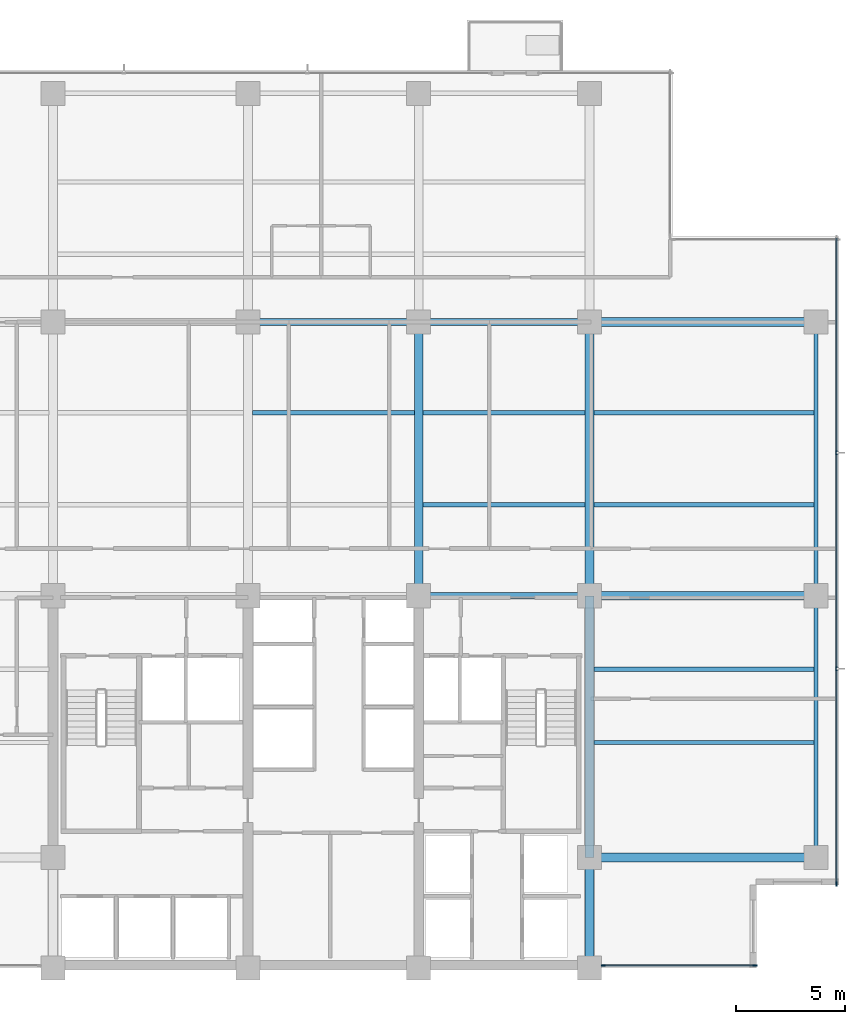
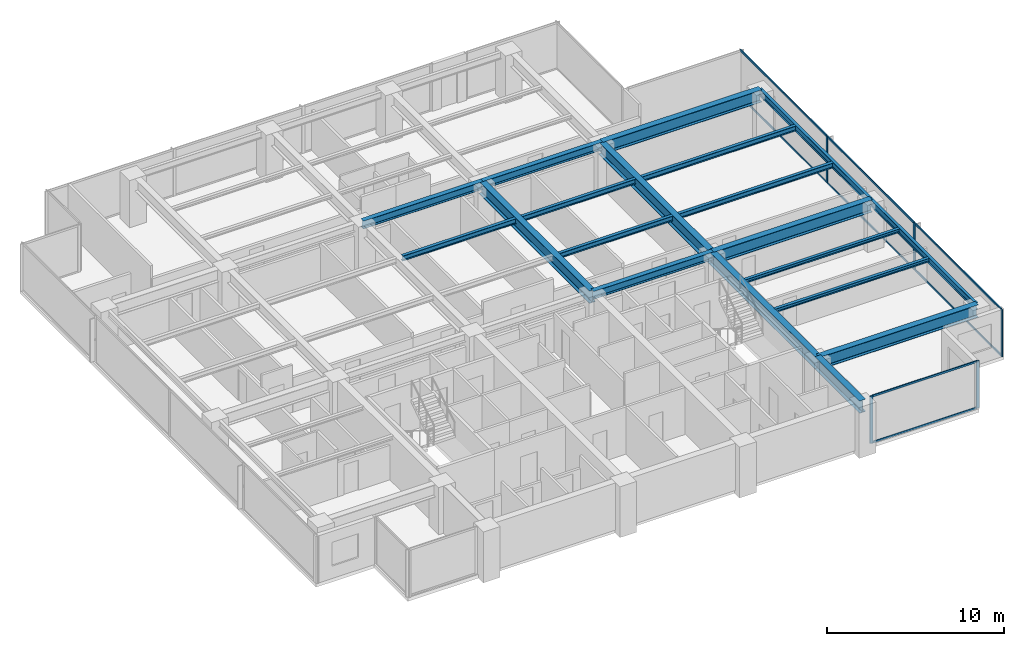
# One storey, part 3 of 15: 19 beams, 13 members, 2 elements without a shape of their own.
"""IFC4 building model written with IfcOpenShell, lengths in metres."""

import ifcopenshell
import ifcopenshell.guid

model = None  # the IFC model being written
_history = None  # IfcOwnerHistory: only IFC2X3 demands one
_inside = {}  # id of a spatial element -> (the spatial element, [elements in it])
_under = {}  # id of a project, library or spatial element -> (it, [spatial elements below it])
_declared = {}  # id of a project -> (the project, [libraries it declares])
_typed = {}  # id of a type object -> (the type object, [elements of that type])
_made_of = {}  # id of a material, layer set ... -> (it, [elements and type objects made of it])


def new_model(schema):
    """Start an empty IFC model of exactly this schema.

    Asked for "IFC4X3", IfcOpenShell would pick the latest addendum, in which some entities
    have other attributes; the version numbers below select the first issue.
    IFC2X3 requires an IfcOwnerHistory on every rooted entity: one is made here for all.
    """
    global model, _history
    if schema == "IFC4X3":
        model = ifcopenshell.file(schema_version=(4, 3, 0, 0))
    else:
        model = ifcopenshell.file(schema=schema)
    _inside.clear()
    _under.clear()
    _declared.clear()
    _typed.clear()
    _made_of.clear()
    _history = None
    if model.schema == "IFC2X3":
        org = make("IfcOrganization", Name="unknown")
        user = make(
            "IfcPersonAndOrganization",
            ThePerson=make("IfcPerson", FamilyName="unknown"),
            TheOrganization=org,
        )
        app = make(
            "IfcApplication",
            ApplicationDeveloper=org,
            Version="unknown",
            ApplicationFullName="unknown",
            ApplicationIdentifier="unknown",
        )
        _history = make(
            "IfcOwnerHistory",
            OwningUser=user,
            OwningApplication=app,
            ChangeAction="ADDED",
            CreationDate=0,
        )
    return model


def make(cls, **values):
    """One entity of the class cls with the attributes given. An attribute that is None is left unset."""
    return model.create_entity(
        cls, **{name: value for name, value in values.items() if value is not None}
    )


def rooted(cls, **values):
    """An entity with a GlobalId (a new one), such as an element, a storey or a relation."""
    return make(cls, GlobalId=ifcopenshell.guid.new(), OwnerHistory=_history, **values)


def si_unit(unit_type, name, prefix=None):
    """IfcSIUnit, for example si_unit("LENGTHUNIT", "METRE", prefix="MILLI")."""
    return make("IfcSIUnit", UnitType=unit_type, Prefix=prefix, Name=name)


def assignment(units):
    """IfcUnitAssignment: the units of a project."""
    return None if units is None else make("IfcUnitAssignment", Units=units)


def point(xyz):
    """IfcCartesianPoint."""
    return None if xyz is None else make("IfcCartesianPoint", Coordinates=xyz)


def direction(xyz):
    """IfcDirection."""
    return None if xyz is None else make("IfcDirection", DirectionRatios=xyz)


def frame(location, z_axis=None, x_axis=None):
    """IfcAxis2Placement3D, a coordinate frame: its origin and axes. An axis left out is left unset."""
    return make(
        "IfcAxis2Placement3D",
        Location=point(location),
        Axis=direction(z_axis),
        RefDirection=direction(x_axis),
    )


def frame_2d(location, x_axis=None):
    """IfcAxis2Placement2D, a coordinate frame in the plane: its origin and x axis."""
    return make(
        "IfcAxis2Placement2D", Location=point(location), RefDirection=direction(x_axis)
    )


def origin():
    """The frame at (0, 0, 0) with its axes left unset."""
    return frame((0.0, 0.0, 0.0))


def origin_2d():
    """The frame at (0, 0) in the plane with its x axis left unset."""
    return frame_2d((0.0, 0.0))


def place(relative_to, where):
    """IfcLocalPlacement: puts the frame where relative to a parent placement (None: the world)."""
    return make(
        "IfcLocalPlacement", PlacementRelTo=relative_to, RelativePlacement=where
    )


def context(
    kind, dimensions, precision=None, world=None, true_north=None, identifier=None
):
    """IfcGeometricRepresentationContext, for example the 3D "Model" context."""
    return make(
        "IfcGeometricRepresentationContext",
        ContextIdentifier=identifier,
        ContextType=kind,
        CoordinateSpaceDimension=dimensions,
        Precision=precision,
        WorldCoordinateSystem=world,
        TrueNorth=true_north,
    )


def subcontext(parent, identifier, kind, view, scale=None):
    """IfcGeometricRepresentationSubContext, for example "Body" below "Model"."""
    return make(
        "IfcGeometricRepresentationSubContext",
        ContextIdentifier=identifier,
        ContextType=kind,
        ParentContext=parent,
        TargetScale=scale,
        TargetView=view,
    )


def project(units=None, contexts=None):
    """IfcProject with its units and contexts."""
    return rooted(
        "IfcProject",
        Name="project",
        RepresentationContexts=contexts,
        UnitsInContext=assignment(units),
    )


def spatial(cls, under=None, at=None, **own):
    """A site, building, storey or space (cls), placed at a placement, below another one or the project."""
    s = rooted(cls, ObjectPlacement=at, **own)
    if under is not None:
        _under.setdefault(under.id(), (under, []))[1].append(s)
    return s


def profile(cls, at=None, kind="AREA", **sizes):
    """A parametric profile (cls). Its sizes go by their IFC names, for example OverallWidth=200.0."""
    return make(cls, ProfileType=kind, Position=at, **sizes)


def rectangle(**sizes):
    """IfcRectangleProfileDef."""
    return profile("IfcRectangleProfileDef", **sizes)


def i_section(**sizes):
    """IfcIShapeProfileDef."""
    return profile("IfcIShapeProfileDef", **sizes)


def extrude(swept, where, along, depth):
    """IfcExtrudedAreaSolid: the profile swept, set in the frame where, extruded along a direction by depth."""
    return make(
        "IfcExtrudedAreaSolid",
        SweptArea=swept,
        Position=where,
        ExtrudedDirection=direction(along),
        Depth=depth,
    )


def shape(context_of_items, identifier, shape_type, items):
    """IfcShapeRepresentation: the items that make up one representation, for example the "Body"."""
    return make(
        "IfcShapeRepresentation",
        ContextOfItems=context_of_items,
        RepresentationIdentifier=identifier,
        RepresentationType=shape_type,
        Items=items,
    )


def material(Name=None, Category=None):
    """IfcMaterial."""
    return make("IfcMaterial", Name=Name, Category=Category)


def layer(
    of_material, thickness, ventilated=None, Name=None, Category=None, Priority=None
):
    """IfcMaterialLayer: one layer of a wall or slab, of a material (None: an air gap)."""
    return make(
        "IfcMaterialLayer",
        Material=of_material,
        LayerThickness=thickness,
        IsVentilated=ventilated,
        Name=Name,
        Category=Category,
        Priority=Priority,
    )


def layer_set(layers, Name=None):
    """IfcMaterialLayerSet."""
    return make("IfcMaterialLayerSet", MaterialLayers=layers, LayerSetName=Name)


def material_profile(
    of_material, cross_section, Name=None, Category=None, Priority=None
):
    """IfcMaterialProfile: a cross section and its material."""
    return make(
        "IfcMaterialProfile",
        Name=Name,
        Material=of_material,
        Profile=cross_section,
        Priority=Priority,
        Category=Category,
    )


def profile_set(profiles, Name=None, composite=None):
    """IfcMaterialProfileSet."""
    return make(
        "IfcMaterialProfileSet",
        Name=Name,
        MaterialProfiles=profiles,
        CompositeProfile=composite,
    )


def made_of(thing, what):
    """Note that an element or type object is made of a material, layer set ...; save() writes the relation."""
    if what is not None:
        _made_of.setdefault(what.id(), (what, []))[1].append(thing)
    return thing


def type_object(cls, material=None, **own):
    """A type object (cls), such as IfcWallType, which elements share."""
    return made_of(rooted(cls, **own), material)


def element(
    cls,
    number,
    at=None,
    inside=None,
    cuts=None,
    type_object=None,
    material=None,
    context=None,
    identifier="Body",
    shape_type=None,
    held_by="IfcProductDefinitionShape",
    body=None,
    shapes=None,
    **own,
):
    """One element of the class cls, such as IfcWall. Its Tag is "e" and its number.

    at: its placement. inside: the storey or other place that contains it. cuts: it is an
    opening in that element (IfcRelVoidsElement). A single representation is given by context,
    identifier, shape_type and body (its items); several are given by shapes. held_by: the class
    of the entity that holds the representations. save() writes the other relations.
    """
    e = rooted(cls, Tag="e%d" % number, ObjectPlacement=at, **own)
    if body is not None:
        shapes = [shape(context, identifier, shape_type, body)]
    if shapes is not None:
        e.Representation = make(held_by, Representations=shapes)
    if inside is not None:
        _inside.setdefault(inside.id(), (inside, []))[1].append(e)
    if cuts is not None:
        rooted(
            "IfcRelVoidsElement", RelatingBuildingElement=cuts, RelatedOpeningElement=e
        )
    if type_object is not None:
        _typed.setdefault(type_object.id(), (type_object, []))[1].append(e)
    return made_of(e, material)


def aggregate(whole, parts):
    """IfcRelAggregates: a whole, such as a stair, and the parts it consists of."""
    return rooted("IfcRelAggregates", RelatingObject=whole, RelatedObjects=parts)


def save(model, path):
    """Write the relations noted so far, then the file.

    IfcRelAggregates (storeys below a building ...), IfcRelContainedInSpatialStructure (elements
    in a storey), IfcRelDefinesByType, IfcRelAssociatesMaterial and IfcRelDeclares: one each for
    every whole, place, type object, material and project.
    """
    for whole, parts in _under.values():
        aggregate(whole, parts)
    for where, things in _inside.values():
        rooted(
            "IfcRelContainedInSpatialStructure",
            RelatedElements=things,
            RelatingStructure=where,
        )
    for kind, things in _typed.values():
        rooted("IfcRelDefinesByType", RelatedObjects=things, RelatingType=kind)
    for what, things in _made_of.values():
        rooted("IfcRelAssociatesMaterial", RelatedObjects=things, RelatingMaterial=what)
    for by, libraries in _declared.values():
        rooted("IfcRelDeclares", RelatingContext=by, RelatedDefinitions=libraries)
    model.write(path)


model = new_model("IFC4")

# Units and contexts
model_context = context("Model", 3, precision=1e-05, world=origin(), true_north=direction((0.0, 1.0)))
body_context = subcontext(model_context, "Body", "Model", "MODEL_VIEW")
ifc_project = project(units=[si_unit("LENGTHUNIT", "METRE"), si_unit("AREAUNIT", "SQUARE_METRE"), si_unit("VOLUMEUNIT", "CUBIC_METRE"), si_unit("PLANEANGLEUNIT", "RADIAN"), si_unit("MASSUNIT", "GRAM", prefix="KILO")], contexts=[model_context])

# Site, building, storey
site_placement = place(None, origin())
site = spatial("IfcSite", under=ifc_project, at=site_placement, CompositionType="ELEMENT")
building_placement = place(site_placement, origin())
building = spatial("IfcBuilding", under=site, at=building_placement, Name="Qalmaran Belvedere Hotel", CompositionType="ELEMENT")
storey_placement = place(building_placement, frame((0.0, 0.0, 149.10009765625)))
storey = spatial("IfcBuildingStorey", under=building, at=storey_placement, Name="L37", CompositionType="ELEMENT", Elevation=149.10009765625)

# Beams
ifc_material_1 = material(Name="Steel S355JR", Category="steel")
ifc_material_profile_1 = material_profile(ifc_material_1, i_section(OverallWidth=0.201904296875, OverallDepth=0.2470703125, WebThickness=0.00732421875, FlangeThickness=0.010986328125, FilletRadius=0.011962890625, at=origin_2d()), Name="W250X49")
ifc_profile_set_1 = profile_set([ifc_material_profile_1], Name="Steel S355JR")
beam_type_1 = type_object("IfcBeamType", Name="BM-JST-W250X49", PredefinedType="JOIST", material=ifc_profile_set_1)
for number, where, z_axis, x_axis, name in (
    (1, (44.998046875, 13.800048828125, 3.12646484375), (1.0, 0.0, 0.0), (0.0, 1.0, 0.0), "L37 East Wing Joist 039"),
    (2, (44.998046875, 17.14990234375, 3.12646484375), (1.0, 0.0, 0.0), (0.0, 1.0, 0.0), "L37 East Wing Joist 041"),
):
    element("IfcBeam", number, at=place(storey_placement, frame(where, z_axis=z_axis, x_axis=x_axis)), inside=storey, type_object=beam_type_1, Name=name, PredefinedType="JOIST", context=body_context, shape_type="SweptSolid", body=[
        extrude(i_section(OverallWidth=0.201904296875, OverallDepth=0.2470703125, WebThickness=0.00732421875, FlangeThickness=0.010986328125, FilletRadius=0.011962890625, at=origin_2d()), origin(), (0.0, 0.0, 1.0), 10.057861328125),
    ])
ifc_material_profile_2 = material_profile(ifc_material_1, i_section(OverallWidth=0.39990234375, OverallDepth=0.85498046875, WebThickness=0.018310546875, FlangeThickness=0.029296875, FilletRadius=0.02392578125, at=origin_2d()), Name="W840X299")
ifc_profile_set_2 = profile_set([ifc_material_profile_2], Name="Steel S355JR")
beam_type_2 = type_object("IfcBeamType", Name="BM-PG3-W840X299", PredefinedType="USERDEFINED", material=ifc_profile_set_2)
for number, where, z_axis, x_axis, name in (
    (3, (37.0, 20.5, 2.822509765625), (0.0, 1.0, 0.0), (-1.0, 0.0, 0.0), "L37 Mid-Plate N-S Girder 18"),
    (4, (44.800048828125, 20.5, 2.822509765625), (0.0, 1.0, 0.0), (-1.0, 0.0, 0.0), "L37 Mid-Plate N-S Girder 20"),
):
    element("IfcBeam", number, at=place(storey_placement, frame(where, z_axis=z_axis, x_axis=x_axis)), inside=storey, type_object=beam_type_2, Name=name, ObjectType="GIRDER", PredefinedType="USERDEFINED", context=body_context, shape_type="SweptSolid", body=[
        extrude(i_section(OverallWidth=0.39990234375, OverallDepth=0.85498046875, WebThickness=0.018310546875, FlangeThickness=0.029296875, FilletRadius=0.02392578125, at=origin_2d()), origin(), (0.0, 0.0, 1.0), 12.5),
    ])
beam_1_placement = place(storey_placement, frame((44.800048828125, 3.5, 2.822509765625), z_axis=(0.0, 1.0, 0.0), x_axis=(-1.0, 0.0, 0.0)))
element("IfcBeam", 5, at=beam_1_placement, inside=storey, type_object=beam_type_2, Name="L37 East Core Edge Girder A", ObjectType="GIRDER", PredefinedType="USERDEFINED", context=body_context, shape_type="SweptSolid", body=[
    extrude(i_section(OverallWidth=0.39990234375, OverallDepth=0.85498046875, WebThickness=0.018310546875, FlangeThickness=0.029296875, FilletRadius=0.02392578125, at=origin_2d()), origin(), (0.0, 0.0, 1.0), 5.050048828125),
])
beam_2_placement = place(storey_placement, frame((44.800048828125, 8.550048828125, 2.822509765625), z_axis=(0.0, 1.0, 0.0), x_axis=(-1.0, 0.0, 0.0)))
element("IfcBeam", 6, at=beam_2_placement, inside=storey, type_object=beam_type_2, Name="L37 East Core Edge Girder B", ObjectType="GIRDER", PredefinedType="USERDEFINED", context=body_context, shape_type="SweptSolid", body=[
    extrude(i_section(OverallWidth=0.39990234375, OverallDepth=0.85498046875, WebThickness=0.018310546875, FlangeThickness=0.029296875, FilletRadius=0.02392578125, at=origin_2d()), origin(), (0.0, 0.0, 1.0), 11.949951171875),
])
for number, where, z_axis, x_axis, name in (
    (7, (44.800048828125, 8.550048828125, 2.822509765625), (1.0, 0.0, 0.0), (0.0, 1.0, 0.0), "L37 East Wing Girder 25"),
    (8, (44.800048828125, 20.5, 2.822509765625), (1.0, 0.0, 0.0), (0.0, 1.0, 0.0), "L37 East Wing Girder 26"),
    (9, (44.800048828125, 33.0, 2.822509765625), (1.0, 0.0, 0.0), (0.0, 1.0, 0.0), "L37 East Wing Girder 27"),
):
    element("IfcBeam", number, at=place(storey_placement, frame(where, z_axis=z_axis, x_axis=x_axis)), inside=storey, type_object=beam_type_2, Name=name, ObjectType="GIRDER", PredefinedType="USERDEFINED", context=body_context, shape_type="SweptSolid", body=[
        extrude(i_section(OverallWidth=0.39990234375, OverallDepth=0.85498046875, WebThickness=0.018310546875, FlangeThickness=0.029296875, FilletRadius=0.02392578125, at=origin_2d()), origin(), (0.0, 0.0, 1.0), 10.349853515625),
    ])
ifc_material_profile_3 = material_profile(ifc_material_1, i_section(OverallWidth=0.205078125, OverallDepth=0.35400390625, WebThickness=0.009521484375, FlangeThickness=0.016845703125, FilletRadius=0.014892578125, at=origin_2d()), Name="W360X79")
ifc_profile_set_3 = profile_set([ifc_material_profile_3], Name="Steel S355JR")
beam_type_3 = type_object("IfcBeamType", Name="BM-SB3-W360X79", PredefinedType="BEAM", material=ifc_profile_set_3)
beam_3_placement = place(storey_placement, frame((37.197998046875, 24.64990234375, 3.072998046875), z_axis=(1.0, 0.0, 0.0), x_axis=(0.0, 1.0, 0.0)))
element("IfcBeam", 10, at=beam_3_placement, inside=storey, type_object=beam_type_3, Name="L37 Secondary Floor Beam 031", PredefinedType="BEAM", context=body_context, shape_type="SweptSolid", body=[
    extrude(i_section(OverallWidth=0.205078125, OverallDepth=0.35400390625, WebThickness=0.009521484375, FlangeThickness=0.016845703125, FilletRadius=0.014892578125, at=origin_2d()), origin(), (0.0, 0.0, 1.0), 7.404052734375),
])
beam_4_placement = place(storey_placement, frame((44.998046875, 24.64990234375, 3.072998046875), z_axis=(1.0, 0.0, 0.0), x_axis=(0.0, 1.0, 0.0)))
element("IfcBeam", 11, at=beam_4_placement, inside=storey, type_object=beam_type_3, Name="L37 East Secondary Beam 032", PredefinedType="BEAM", context=body_context, shape_type="SweptSolid", body=[
    extrude(i_section(OverallWidth=0.205078125, OverallDepth=0.35400390625, WebThickness=0.009521484375, FlangeThickness=0.016845703125, FilletRadius=0.014892578125, at=origin_2d()), origin(), (0.0, 0.0, 1.0), 10.057861328125),
])
for number, where, z_axis, x_axis, name in (
    (12, (29.39794921875, 28.85009765625, 3.072998046875), (1.0, 0.0, 0.0), (0.0, 1.0, 0.0), "L37 Secondary Floor Beam 035"),
    (13, (37.197998046875, 28.85009765625, 3.072998046875), (1.0, 0.0, 0.0), (0.0, 1.0, 0.0), "L37 Secondary Floor Beam 036"),
):
    element("IfcBeam", number, at=place(storey_placement, frame(where, z_axis=z_axis, x_axis=x_axis)), inside=storey, type_object=beam_type_3, Name=name, PredefinedType="BEAM", context=body_context, shape_type="SweptSolid", body=[
        extrude(i_section(OverallWidth=0.205078125, OverallDepth=0.35400390625, WebThickness=0.009521484375, FlangeThickness=0.016845703125, FilletRadius=0.014892578125, at=origin_2d()), origin(), (0.0, 0.0, 1.0), 7.404052734375),
    ])
beam_5_placement = place(storey_placement, frame((44.998046875, 28.85009765625, 3.072998046875), z_axis=(1.0, 0.0, 0.0), x_axis=(0.0, 1.0, 0.0)))
element("IfcBeam", 14, at=beam_5_placement, inside=storey, type_object=beam_type_3, Name="L37 East Secondary Beam 037", PredefinedType="BEAM", context=body_context, shape_type="SweptSolid", body=[
    extrude(i_section(OverallWidth=0.205078125, OverallDepth=0.35400390625, WebThickness=0.009521484375, FlangeThickness=0.016845703125, FilletRadius=0.014892578125, at=origin_2d()), origin(), (0.0, 0.0, 1.0), 10.057861328125),
])
ifc_material_profile_4 = material_profile(ifc_material_1, i_section(OverallWidth=0.19189453125, OverallDepth=0.462890625, WebThickness=0.010498046875, FlangeThickness=0.017578125, FilletRadius=0.01611328125, at=origin_2d()), Name="W460X89")
ifc_profile_set_4 = profile_set([ifc_material_profile_4], Name="Steel S355JR")
beam_type_4 = type_object("IfcBeamType", Name="BM-SP2-W460X89", PredefinedType="SPANDREL", material=ifc_profile_set_4)
beam_6_placement = place(storey_placement, frame((55.14990234375, 8.550048828125, 3.018310546875), z_axis=(0.0, 1.0, 0.0), x_axis=(-1.0, 0.0, 0.0)))
element("IfcBeam", 15, at=beam_6_placement, inside=storey, type_object=beam_type_4, Name="L37 Perimeter Spandrel 03", PredefinedType="SPANDREL", context=body_context, shape_type="SweptSolid", body=[
    extrude(i_section(OverallWidth=0.19189453125, OverallDepth=0.462890625, WebThickness=0.010498046875, FlangeThickness=0.017578125, FilletRadius=0.01611328125, at=origin_2d()), origin(), (0.0, 0.0, 1.0), 11.949951171875),
])
beam_7_placement = place(storey_placement, frame((55.14990234375, 20.5, 3.018310546875), z_axis=(0.0, 1.0, 0.0), x_axis=(-1.0, 0.0, 0.0)))
element("IfcBeam", 16, at=beam_7_placement, inside=storey, type_object=beam_type_4, Name="L37 Perimeter Spandrel 04", PredefinedType="SPANDREL", context=body_context, shape_type="SweptSolid", body=[
    extrude(i_section(OverallWidth=0.19189453125, OverallDepth=0.462890625, WebThickness=0.010498046875, FlangeThickness=0.017578125, FilletRadius=0.01611328125, at=origin_2d()), origin(), (0.0, 0.0, 1.0), 12.5),
])
ifc_material_profile_5 = material_profile(ifc_material_1, i_section(OverallWidth=0.31201171875, OverallDepth=0.54296875, WebThickness=0.0126953125, FlangeThickness=0.020263671875, FilletRadius=0.01806640625, at=origin_2d()), Name="W530X150")
ifc_profile_set_5 = profile_set([ifc_material_profile_5], Name="Steel S355JR")
beam_type_5 = type_object("IfcBeamType", Name="BM-Z3-W530X150", PredefinedType="USERDEFINED", material=ifc_profile_set_5)
for number, where, z_axis, x_axis, name in (
    (17, (37.0, 20.5, 2.978515625), (1.0, 0.0, 0.0), (0.0, 1.0, 0.0), "L37 Interior E-W Girder 10"),
    (18, (29.199951171875, 33.0, 2.978515625), (1.0, 0.0, 0.0), (0.0, 1.0, 0.0), "L37 Interior E-W Girder 12"),
    (19, (37.0, 33.0, 2.978515625), (1.0, 0.0, 0.0), (0.0, 1.0, 0.0), "L37 Interior E-W Girder 13"),
):
    element("IfcBeam", number, at=place(storey_placement, frame(where, z_axis=z_axis, x_axis=x_axis)), inside=storey, type_object=beam_type_5, Name=name, ObjectType="GIRDER", PredefinedType="USERDEFINED", context=body_context, shape_type="SweptSolid", body=[
        extrude(i_section(OverallWidth=0.31201171875, OverallDepth=0.54296875, WebThickness=0.0126953125, FlangeThickness=0.020263671875, FilletRadius=0.01806640625, at=origin_2d()), origin(), (0.0, 0.0, 1.0), 7.800048828125),
    ])

# Curtain wall, members
ifc_material_2 = material(Name="Anodised Bronze Aluminium", Category="aluminium")
ifc_layer = layer(ifc_material_2, 0.195068359375, Name="Anodised Bronze Aluminium")
ifc_layer_set = layer_set([ifc_layer], Name="Anodised Bronze Aluminium")
curtain_wall_type = type_object("IfcCurtainWallType", Name="CW4-TOWER-HIGHMID", PredefinedType="NOTDEFINED", material=ifc_layer_set)
curtain_wall_1_placement = place(storey_placement, origin())
curtain_wall_1 = element("IfcCurtainWall", 20, at=curtain_wall_1_placement, inside=storey, type_object=curtain_wall_type, Name="L37 Curtain Wall CW4", PredefinedType="NOTDEFINED")
ifc_material_profile_6 = material_profile(ifc_material_2, rectangle(XDim=0.070068359375, YDim=0.18994140625, at=origin_2d()), Name="CWM70X190")
ifc_profile_set_6 = profile_set([ifc_material_profile_6], Name="Anodised Bronze Aluminium")
member_type_1 = type_object("IfcMemberType", Name="CWM-70X190", PredefinedType="MULLION", material=ifc_profile_set_6)
member_1_placement = place(storey_placement, frame((45.425048828125, 3.6201171875, 0.0), z_axis=(0.0, 0.0, 1.0), x_axis=(0.0, 1.0, 0.0)))
member_1 = element("IfcMember", 21, at=member_1_placement, type_object=member_type_1, Name="CW4 mullion 1", PredefinedType="MULLION", context=body_context, shape_type="SweptSolid", body=[
    extrude(rectangle(XDim=0.070068359375, YDim=0.18994140625, at=origin_2d()), origin(), (0.0, 0.0, 1.0), 3.25),
])
member_2_placement = place(storey_placement, frame((52.364990234375, 3.6201171875, 0.0), z_axis=(0.0, 0.0, 1.0), x_axis=(0.0, 1.0, 0.0)))
member_2 = element("IfcMember", 22, at=member_2_placement, type_object=member_type_1, Name="CW4 mullion 2", PredefinedType="MULLION", context=body_context, shape_type="SweptSolid", body=[
    extrude(rectangle(XDim=0.070068359375, YDim=0.18994140625, at=origin_2d()), origin(), (0.0, 0.0, 1.0), 3.25),
])

curtain_wall_2_placement = place(storey_placement, origin())
curtain_wall_2 = element("IfcCurtainWall", 23, at=curtain_wall_2_placement, inside=storey, type_object=curtain_wall_type, Name="L37 Curtain Wall CW4", PredefinedType="NOTDEFINED")
member_3_placement = place(storey_placement, frame((56.080078125, 7.3349609375, 0.0), z_axis=(0.0, 0.0, 1.0), x_axis=(-1.0, 0.0, 0.0)))
member_3 = element("IfcMember", 24, at=member_3_placement, type_object=member_type_1, Name="CW4 mullion 1", PredefinedType="MULLION", context=body_context, shape_type="SweptSolid", body=[
    extrude(rectangle(XDim=0.070068359375, YDim=0.18994140625, at=origin_2d()), origin(), (0.0, 0.0, 1.0), 3.25),
])
member_4_placement = place(storey_placement, frame((56.080078125, 17.166748046875, 0.0), z_axis=(0.0, 0.0, 1.0), x_axis=(-1.0, 0.0, 0.0)))
member_4 = element("IfcMember", 25, at=member_4_placement, type_object=member_type_1, Name="CW4 mullion 2", PredefinedType="MULLION", context=body_context, shape_type="SweptSolid", body=[
    extrude(rectangle(XDim=0.070068359375, YDim=0.18994140625, at=origin_2d()), origin(), (0.0, 0.0, 1.0), 3.25),
])
member_5_placement = place(storey_placement, frame((56.080078125, 27.033447265625, 0.0), z_axis=(0.0, 0.0, 1.0), x_axis=(-1.0, 0.0, 0.0)))
member_5 = element("IfcMember", 26, at=member_5_placement, type_object=member_type_1, Name="CW4 mullion 3", PredefinedType="MULLION", context=body_context, shape_type="SweptSolid", body=[
    extrude(rectangle(XDim=0.070068359375, YDim=0.18994140625, at=origin_2d()), origin(), (0.0, 0.0, 1.0), 3.25),
])

# Member
ifc_material_profile_7 = material_profile(ifc_material_2, rectangle(XDim=0.06494140625, YDim=0.1298828125, at=origin_2d()), Name="CWT65X130")
ifc_profile_set_7 = profile_set([ifc_material_profile_7], Name="Anodised Bronze Aluminium")
member_type_2 = type_object("IfcMemberType", Name="CWT-65X130", PredefinedType="USERDEFINED", material=ifc_profile_set_7)
member_6_placement = place(storey_placement, frame((45.4599609375, 3.6201171875, 0.032470703125), z_axis=(1.0, 0.0, 0.0), x_axis=(0.0, 1.0, 0.0)))
member_6 = element("IfcMember", 27, at=member_6_placement, type_object=member_type_2, Name="CW4 transom 1.1", ObjectType="TRANSOM", PredefinedType="USERDEFINED", context=body_context, shape_type="SweptSolid", body=[
    extrude(rectangle(XDim=0.06494140625, YDim=0.1298828125, at=origin_2d()), origin(), (0.0, 0.0, 1.0), 6.8701171875),
])

member_7_placement = place(storey_placement, frame((45.4599609375, 3.6201171875, 3.21728515625), z_axis=(1.0, 0.0, 0.0), x_axis=(0.0, 1.0, 0.0)))
member_7 = element("IfcMember", 28, at=member_7_placement, type_object=member_type_2, Name="CW4 transom 1.2", ObjectType="TRANSOM", PredefinedType="USERDEFINED", context=body_context, shape_type="SweptSolid", body=[
    extrude(rectangle(XDim=0.06494140625, YDim=0.1298828125, at=origin_2d()), origin(), (0.0, 0.0, 1.0), 6.8701171875),
])

aggregate(curtain_wall_1, [member_1, member_2, member_6, member_7])

member_8_placement = place(storey_placement, frame((56.080078125, 7.3701171875, 0.032470703125), z_axis=(0.0, 1.0, 0.0), x_axis=(-1.0, 0.0, 0.0)))
member_8 = element("IfcMember", 29, at=member_8_placement, type_object=member_type_2, Name="CW4 transom 1.1", ObjectType="TRANSOM", PredefinedType="USERDEFINED", context=body_context, shape_type="SweptSolid", body=[
    extrude(rectangle(XDim=0.06494140625, YDim=0.1298828125, at=origin_2d()), origin(), (0.0, 0.0, 1.0), 9.761474609375),
])

member_9_placement = place(storey_placement, frame((56.080078125, 7.3701171875, 3.21728515625), z_axis=(0.0, 1.0, 0.0), x_axis=(-1.0, 0.0, 0.0)))
member_9 = element("IfcMember", 30, at=member_9_placement, type_object=member_type_2, Name="CW4 transom 1.2", ObjectType="TRANSOM", PredefinedType="USERDEFINED", context=body_context, shape_type="SweptSolid", body=[
    extrude(rectangle(XDim=0.06494140625, YDim=0.1298828125, at=origin_2d()), origin(), (0.0, 0.0, 1.0), 9.761474609375),
])

member_10_placement = place(storey_placement, frame((56.080078125, 17.20166015625, 0.032470703125), z_axis=(0.0, 1.0, 0.0), x_axis=(-1.0, 0.0, 0.0)))
member_10 = element("IfcMember", 31, at=member_10_placement, type_object=member_type_2, Name="CW4 transom 2.1", ObjectType="TRANSOM", PredefinedType="USERDEFINED", context=body_context, shape_type="SweptSolid", body=[
    extrude(rectangle(XDim=0.06494140625, YDim=0.1298828125, at=origin_2d()), origin(), (0.0, 0.0, 1.0), 9.796630859375),
])

member_11_placement = place(storey_placement, frame((56.080078125, 17.20166015625, 3.21728515625), z_axis=(0.0, 1.0, 0.0), x_axis=(-1.0, 0.0, 0.0)))
member_11 = element("IfcMember", 32, at=member_11_placement, type_object=member_type_2, Name="CW4 transom 2.2", ObjectType="TRANSOM", PredefinedType="USERDEFINED", context=body_context, shape_type="SweptSolid", body=[
    extrude(rectangle(XDim=0.06494140625, YDim=0.1298828125, at=origin_2d()), origin(), (0.0, 0.0, 1.0), 9.796630859375),
])

member_12_placement = place(storey_placement, frame((56.080078125, 27.068359375, 0.032470703125), z_axis=(0.0, 1.0, 0.0), x_axis=(-1.0, 0.0, 0.0)))
member_12 = element("IfcMember", 33, at=member_12_placement, type_object=member_type_2, Name="CW4 transom 3.1", ObjectType="TRANSOM", PredefinedType="USERDEFINED", context=body_context, shape_type="SweptSolid", body=[
    extrude(rectangle(XDim=0.06494140625, YDim=0.1298828125, at=origin_2d()), origin(), (0.0, 0.0, 1.0), 9.76171875),
])

member_13_placement = place(storey_placement, frame((56.080078125, 27.068359375, 3.21728515625), z_axis=(0.0, 1.0, 0.0), x_axis=(-1.0, 0.0, 0.0)))
member_13 = element("IfcMember", 34, at=member_13_placement, type_object=member_type_2, Name="CW4 transom 3.2", ObjectType="TRANSOM", PredefinedType="USERDEFINED", context=body_context, shape_type="SweptSolid", body=[
    extrude(rectangle(XDim=0.06494140625, YDim=0.1298828125, at=origin_2d()), origin(), (0.0, 0.0, 1.0), 9.76171875),
])

aggregate(curtain_wall_2, [member_3, member_4, member_5, member_8, member_9, member_10, member_11, member_12, member_13])

save(model, "model.ifc")
